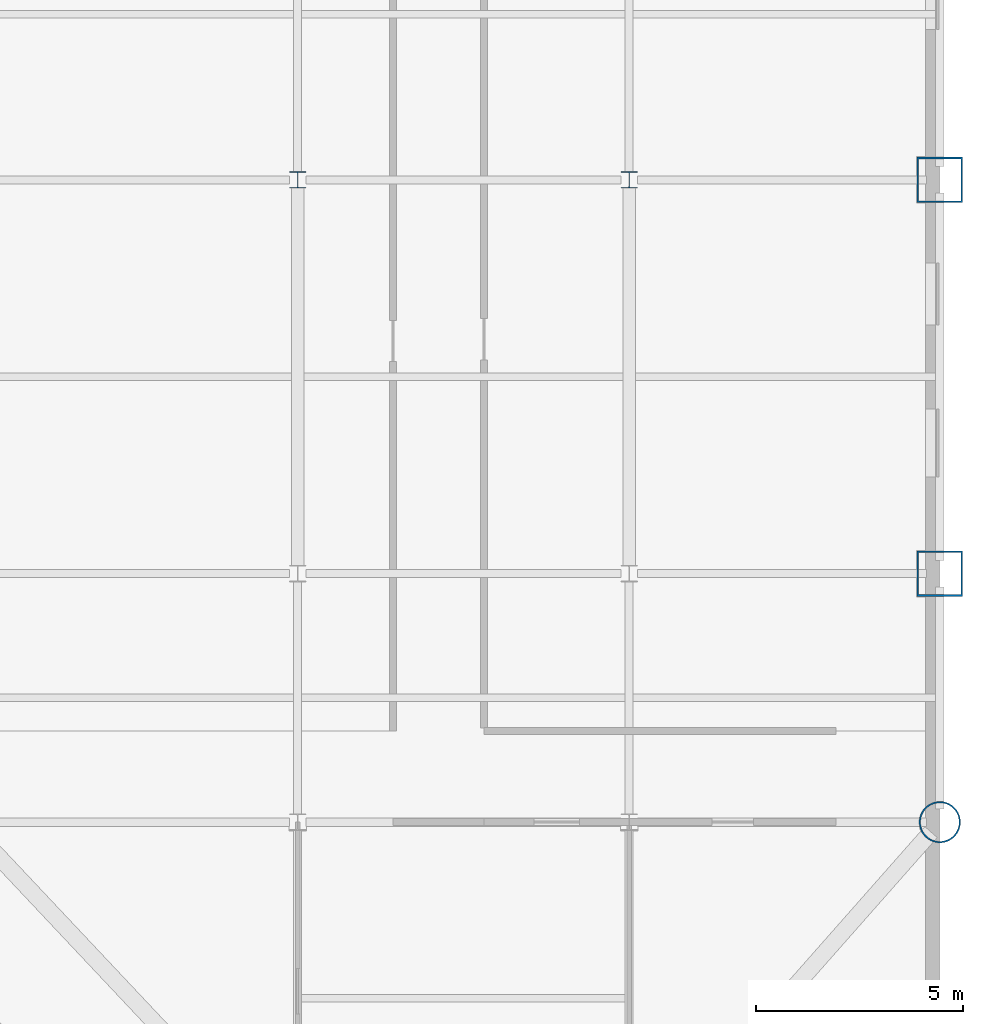
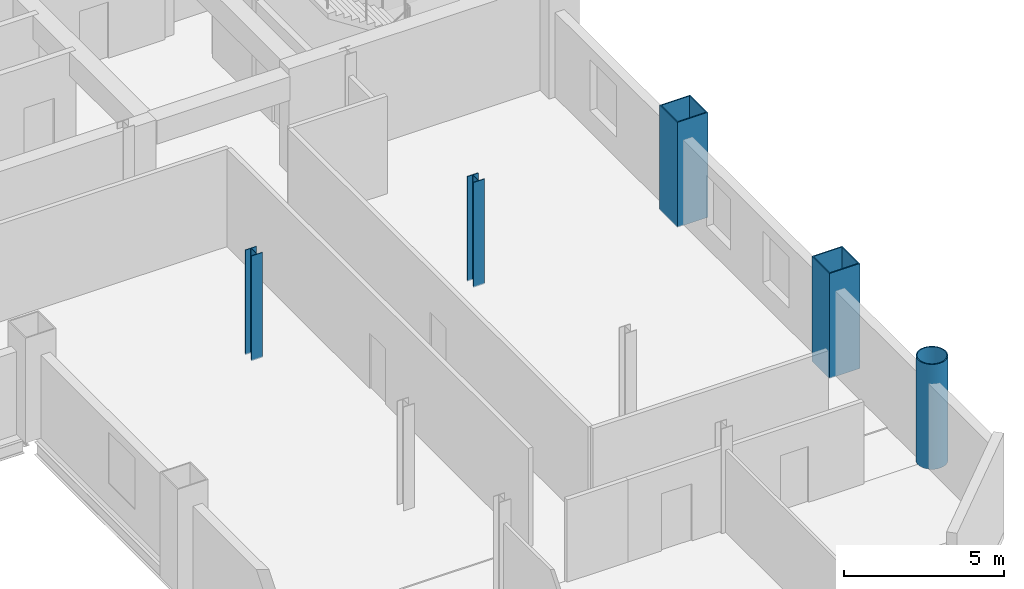
# One storey, part 2 of 10: 5 columns.
"""IFC4 building model written with IfcOpenShell, lengths in metres."""

from ifc_helpers import new_model, si_unit, direction, frame, origin, origin_2d, place, context, subcontext, project, spatial, hollow_rectangle, hollow_circle, i_section, extrude, material, material_profile, profile_set, type_object, element, save


model = new_model("IFC4")

# Units and contexts
model_context = context("Model", 3, precision=1e-05, world=origin(), true_north=direction((0.0, 1.0)))
body_context = subcontext(model_context, "Body", "Model", "MODEL_VIEW")
ifc_project = project(units=[si_unit("LENGTHUNIT", "METRE"), si_unit("AREAUNIT", "SQUARE_METRE"), si_unit("VOLUMEUNIT", "CUBIC_METRE"), si_unit("PLANEANGLEUNIT", "RADIAN"), si_unit("MASSUNIT", "GRAM", prefix="KILO")], contexts=[model_context])

# Site, building, storey
site_placement = place(None, origin())
site = spatial("IfcSite", under=ifc_project, at=site_placement, CompositionType="ELEMENT")
building_placement = place(site_placement, origin())
building = spatial("IfcBuilding", under=site, at=building_placement, Name="Qianrong Seaharbour Tower", CompositionType="ELEMENT")
storey_placement = place(building_placement, frame((0.0, 0.0, 131.0)))
storey = spatial("IfcBuildingStorey", under=building, at=storey_placement, Name="L31", CompositionType="ELEMENT", Elevation=131.0)

# Columns
ifc_material = material(Name="Structural steel SN490B", Category="steel")
ifc_material_profile_1 = material_profile(ifc_material, hollow_rectangle(XDim=1.10009765625, YDim=1.10009765625, WallThickness=0.0400390625, at=origin_2d()), Name="BOX1100x1100x40")
ifc_profile_set_1 = profile_set([ifc_material_profile_1], Name="Structural steel SN490B")
column_type_1 = type_object("IfcColumnType", Name="COL-CFT-1100", PredefinedType="COLUMN", material=ifc_profile_set_1)
for number, where, z_axis, x_axis, name in (
    (1, (64.0, 18.5, 0.0), (0.0, 0.0, 1.0), (1.0, 0.0, 0.0), "L31 Column MC-3 at G9/GD"),
    (2, (64.0, 28.0, 0.0), (0.0, 0.0, 1.0), (1.0, 0.0, 0.0), "L31 Column MC-3 at G9/GE"),
):
    element("IfcColumn", number, at=place(storey_placement, frame(where, z_axis=z_axis, x_axis=x_axis)), inside=storey, type_object=column_type_1, Name=name, PredefinedType="COLUMN", context=body_context, shape_type="SweptSolid", body=[
        extrude(hollow_rectangle(XDim=1.10009765625, YDim=1.10009765625, WallThickness=0.0400390625, at=origin_2d()), origin(), (0.0, 0.0, 1.0), 4.0),
    ])
ifc_material_profile_2 = material_profile(ifc_material, hollow_circle(Radius=0.5, WallThickness=0.035888671875, at=origin_2d()), Name="CHS1000x36")
ifc_profile_set_2 = profile_set([ifc_material_profile_2], Name="Structural steel SN490B")
column_type_2 = type_object("IfcColumnType", Name="COL-CHS-1000", PredefinedType="COLUMN", material=ifc_profile_set_2)
column_placement = place(storey_placement, frame((64.0, 12.5, 0.0), z_axis=(0.0, 0.0, 1.0), x_axis=(1.0, 0.0, 0.0)))
element("IfcColumn", 3, at=column_placement, inside=storey, type_object=column_type_2, Name="L31 Column CC-2 at G9/GC", PredefinedType="COLUMN", context=body_context, shape_type="SweptSolid", body=[
    extrude(hollow_circle(Radius=0.5, WallThickness=0.035888671875, at=origin_2d()), origin(), (0.0, 0.0, 1.0), 4.0),
])
ifc_material_profile_3 = material_profile(ifc_material, i_section(OverallWidth=0.39990234375, OverallDepth=0.39990234375, WebThickness=0.012939453125, FlangeThickness=0.02099609375, FilletRadius=0.02197265625, at=origin_2d()), Name="H400x400x13x21")
ifc_profile_set_3 = profile_set([ifc_material_profile_3], Name="Structural steel SN490B")
column_type_3 = type_object("IfcColumnType", Name="COL-INT-H400", PredefinedType="COLUMN", material=ifc_profile_set_3)
for number, where, z_axis, x_axis, name in (
    (4, (48.5, 28.0, 0.0), (0.0, 0.0, 1.0), (1.0, 0.0, 0.0), "L31 Column IC-3 at G7/GE"),
    (5, (56.5, 28.0, 0.0), (0.0, 0.0, 1.0), (1.0, 0.0, 0.0), "L31 Column IC-3 at G8/GE"),
):
    element("IfcColumn", number, at=place(storey_placement, frame(where, z_axis=z_axis, x_axis=x_axis)), inside=storey, type_object=column_type_3, Name=name, PredefinedType="COLUMN", context=body_context, shape_type="SweptSolid", body=[
        extrude(i_section(OverallWidth=0.39990234375, OverallDepth=0.39990234375, WebThickness=0.012939453125, FlangeThickness=0.02099609375, FilletRadius=0.02197265625, at=origin_2d()), origin(), (0.0, 0.0, 1.0), 4.0),
    ])

save(model, "model.ifc")
